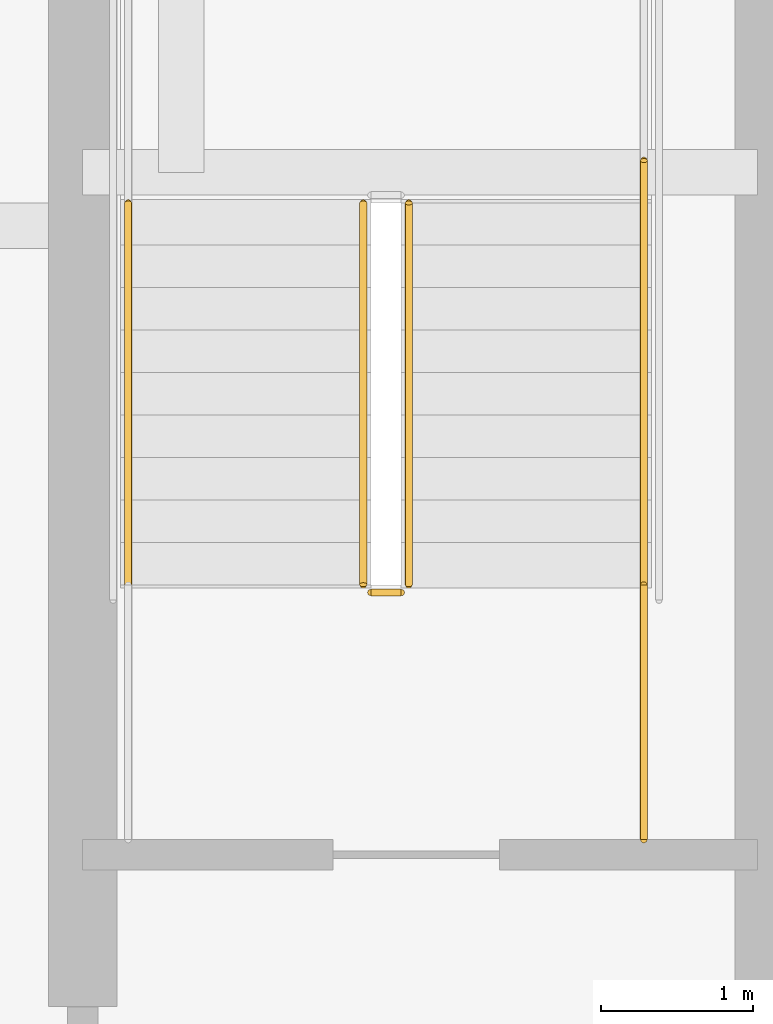
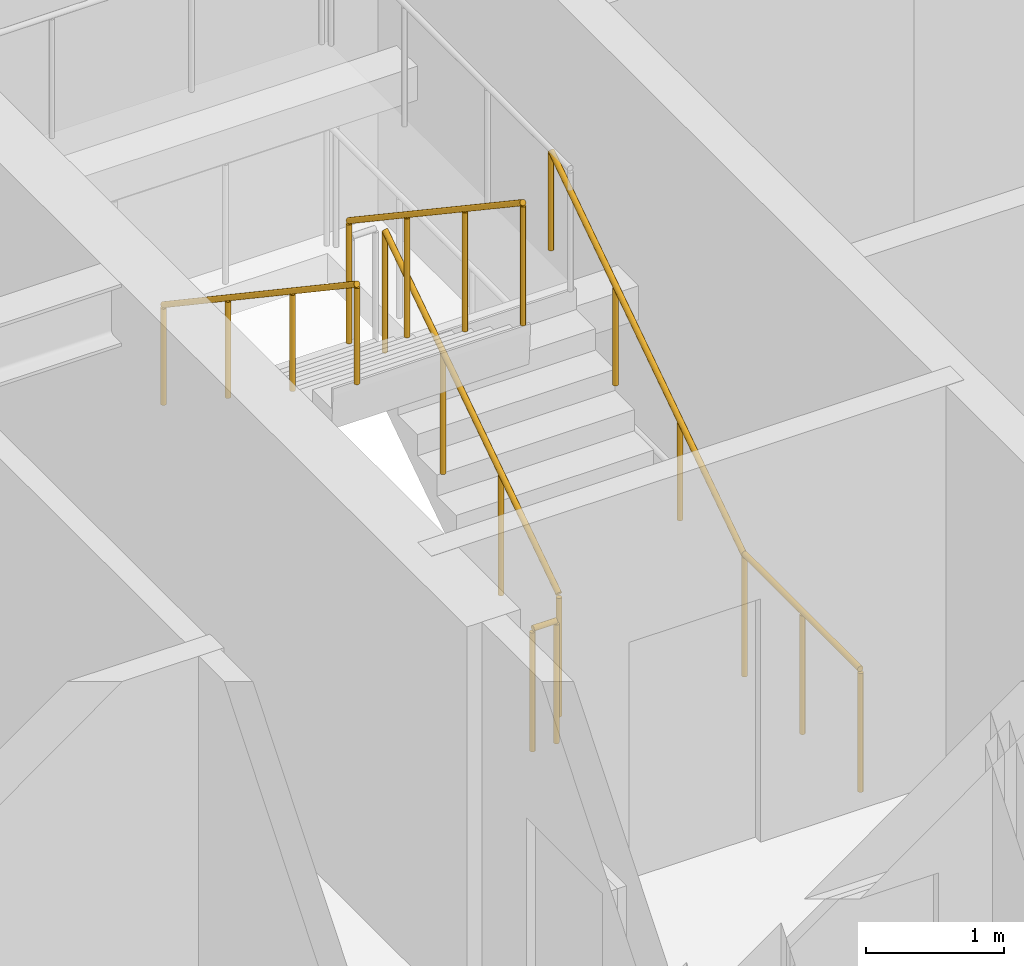
# One storey, part 35 of 39: 6 railings.
"""IFC4 building model written with IfcOpenShell, lengths in metres."""

from ifc_helpers import new_model, si_unit, direction, frame, origin, origin_2d, place, context, subcontext, project, spatial, circle, extrude, material, type_object, element, save


model = new_model("IFC4")

# Units and contexts
model_context = context("Model", 3, precision=1e-05, world=origin(), true_north=direction((0.0, 1.0)))
body_context = subcontext(model_context, "Body", "Model", "MODEL_VIEW")
ifc_project = project(units=[si_unit("LENGTHUNIT", "METRE"), si_unit("AREAUNIT", "SQUARE_METRE"), si_unit("VOLUMEUNIT", "CUBIC_METRE"), si_unit("PLANEANGLEUNIT", "RADIAN"), si_unit("MASSUNIT", "GRAM", prefix="KILO")], contexts=[model_context])

# Site, building, storey
site_placement = place(None, origin())
site = spatial("IfcSite", under=ifc_project, at=site_placement, CompositionType="ELEMENT")
building_placement = place(site_placement, origin())
building = spatial("IfcBuilding", under=site, at=building_placement, Name="Serunith Strait Residences", CompositionType="ELEMENT")
storey_placement = place(building_placement, frame((0.0, 0.0, 64.199951171875)))
storey = spatial("IfcBuildingStorey", under=building, at=storey_placement, Name="L15", CompositionType="ELEMENT", Elevation=64.199951171875)

# Railings
ifc_material = material(Name="Brushed stainless steel 316L", Category="steel")
railing_type_1 = type_object("IfcRailingType", Name="RLG-STAIR-GUARD", PredefinedType="BALUSTRADE", material=ifc_material)
railing_1_placement = place(storey_placement, frame((25.550048828125, 27.030029296875, 0.1875)))
element("IfcRailing", 1, at=railing_1_placement, inside=storey, type_object=railing_type_1, Name="L15 ST-1 stair guard 1", PredefinedType="BALUSTRADE", context=body_context, shape_type="SweptSolid", body=[
    extrude(circle(Radius=0.02392578125, at=origin_2d()), frame((0.0, 0.001708984375, 1.0771484375), z_axis=(0.0, 0.830909170722, 0.55640807867), x_axis=(-1.0, 0.0, 0.0)), (0.0, 0.0, 1.0), 3.02880859375),
    extrude(circle(Radius=0.02099609375, at=origin_2d()), origin(), (0.0, 0.0, 1.0), 1.050048828125),
    extrude(circle(Radius=0.02099609375, at=origin_2d()), frame((0.0, 0.840087890625, 0.5625)), (0.0, 0.0, 1.0), 1.050048828125),
    extrude(circle(Radius=0.02099609375, at=origin_2d()), frame((0.0, 1.679931640625, 1.125)), (0.0, 0.0, 1.0), 1.050048828125),
    extrude(circle(Radius=0.02099609375, at=origin_2d()), frame((0.0, 2.52001953125, 1.6875)), (0.0, 0.0, 1.0), 1.050048828125),
])
railing_2_placement = place(storey_placement, frame((25.25, 29.550048828125, 2.0625)))
element("IfcRailing", 2, at=railing_2_placement, inside=storey, type_object=railing_type_1, Name="L15 ST-1 stair guard 6", PredefinedType="BALUSTRADE", context=body_context, shape_type="SweptSolid", body=[
    extrude(circle(Radius=0.02392578125, at=origin_2d()), frame((0.0, -0.001708984375, 1.0771484375), z_axis=(0.0, -0.830909170722, 0.55640807867), x_axis=(1.0, 0.0, 0.0)), (0.0, 0.0, 1.0), 3.02880859375),
    extrude(circle(Radius=0.02099609375, at=origin_2d()), origin(), (0.0, 0.0, 1.0), 1.050048828125),
    extrude(circle(Radius=0.02099609375, at=origin_2d()), frame((0.0, -0.840087890625, 0.5625)), (0.0, 0.0, 1.0), 1.050048828125),
    extrude(circle(Radius=0.02099609375, at=origin_2d()), frame((0.0, -1.679931640625, 1.125)), (0.0, 0.0, 1.0), 1.050048828125),
    extrude(circle(Radius=0.02099609375, at=origin_2d()), frame((0.0, -2.52001953125, 1.6875)), (0.0, 0.0, 1.0), 1.050048828125),
])
railing_3_placement = place(storey_placement, frame((25.5, 26.97998046875, 0.0)))
element("IfcRailing", 3, at=railing_3_placement, inside=storey, type_object=railing_type_1, Name="L15 ST-1 stair guard 7", PredefinedType="BALUSTRADE", context=body_context, shape_type="SweptSolid", body=[
    extrude(circle(Radius=0.02392578125, at=origin_2d()), frame((-0.001953125, 0.0, 1.076171875), z_axis=(-1.0, 0.0, 0.0), x_axis=(0.0, -1.0, 0.0)), (0.0, 0.0, 1.0), 0.196044921875),
    extrude(circle(Radius=0.02099609375, at=origin_2d()), origin(), (0.0, 0.0, 1.0), 1.050048828125),
    extrude(circle(Radius=0.02099609375, at=origin_2d()), frame((-0.199951171875, 0.0, 0.0)), (0.0, 0.0, 1.0), 1.050048828125),
])
railing_4_placement = place(storey_placement, frame((27.10009765625, 25.35009765625, 0.0)))
element("IfcRailing", 4, at=railing_4_placement, inside=storey, type_object=railing_type_1, Name="L15 ST-1 stair guard 8", PredefinedType="BALUSTRADE", context=body_context, shape_type="SweptSolid", body=[
    extrude(circle(Radius=0.02392578125, at=origin_2d()), frame((0.0, 0.001953125, 1.076171875), z_axis=(0.0, 1.0, 0.0), x_axis=(-1.0, 0.0, 0.0)), (0.0, 0.0, 1.0), 1.676025390625),
    extrude(circle(Radius=0.02099609375, at=origin_2d()), origin(), (0.0, 0.0, 1.0), 1.050048828125),
    extrude(circle(Radius=0.02099609375, at=origin_2d()), frame((0.0, 0.83984375, 0.0)), (0.0, 0.0, 1.0), 1.050048828125),
    extrude(circle(Radius=0.02099609375, at=origin_2d()), frame((0.0, 1.679931640625, 0.0)), (0.0, 0.0, 1.0), 1.050048828125),
])
railing_type_2 = type_object("IfcRailingType", Name="RLG-STAIR-HR", PredefinedType="HANDRAIL", material=ifc_material)
railing_5_placement = place(storey_placement, frame((27.10009765625, 27.030029296875, 0.1875)))
element("IfcRailing", 5, at=railing_5_placement, inside=storey, type_object=railing_type_2, Name="L15 ST-1 stair handrail 1", PredefinedType="HANDRAIL", context=body_context, shape_type="SweptSolid", body=[
    extrude(circle(Radius=0.02392578125, at=origin_2d()), frame((0.0, 0.001708984375, 0.876953125), z_axis=(0.0, 0.830208209119, 0.557453432594), x_axis=(-1.0, 0.0, 0.0)), (0.0, 0.0, 1.0), 3.36865234375),
    extrude(circle(Radius=0.02099609375, at=origin_2d()), origin(), (0.0, 0.0, 1.0), 0.849853515625),
    extrude(circle(Radius=0.02099609375, at=origin_2d()), frame((0.0, 0.933349609375, 0.626708984375)), (0.0, 0.0, 1.0), 0.849853515625),
    extrude(circle(Radius=0.02099609375, at=origin_2d()), frame((0.0, 1.86669921875, 1.25341796875)), (0.0, 0.0, 1.0), 0.849853515625),
    extrude(circle(Radius=0.02099609375, at=origin_2d()), frame((0.0, 2.800048828125, 1.880126953125)), (0.0, 0.0, 1.0), 0.849853515625),
])
railing_6_placement = place(storey_placement, frame((23.699951171875, 29.550048828125, 2.0625)))
element("IfcRailing", 6, at=railing_6_placement, inside=storey, type_object=railing_type_2, Name="L15 ST-1 stair handrail 2", PredefinedType="HANDRAIL", context=body_context, shape_type="SweptSolid", body=[
    extrude(circle(Radius=0.02392578125, at=origin_2d()), frame((0.0, -0.001708984375, 0.876953125), z_axis=(0.0, -0.830208209119, 0.557453432594), x_axis=(1.0, 0.0, 0.0)), (0.0, 0.0, 1.0), 3.36865234375),
    extrude(circle(Radius=0.02099609375, at=origin_2d()), origin(), (0.0, 0.0, 1.0), 0.849853515625),
    extrude(circle(Radius=0.02099609375, at=origin_2d()), frame((0.0, -0.933349609375, 0.626708984375)), (0.0, 0.0, 1.0), 0.849853515625),
    extrude(circle(Radius=0.02099609375, at=origin_2d()), frame((0.0, -1.86669921875, 1.25341796875)), (0.0, 0.0, 1.0), 0.849853515625),
    extrude(circle(Radius=0.02099609375, at=origin_2d()), frame((0.0, -2.800048828125, 1.880126953125)), (0.0, 0.0, 1.0), 0.849853515625),
])

save(model, "model.ifc")
